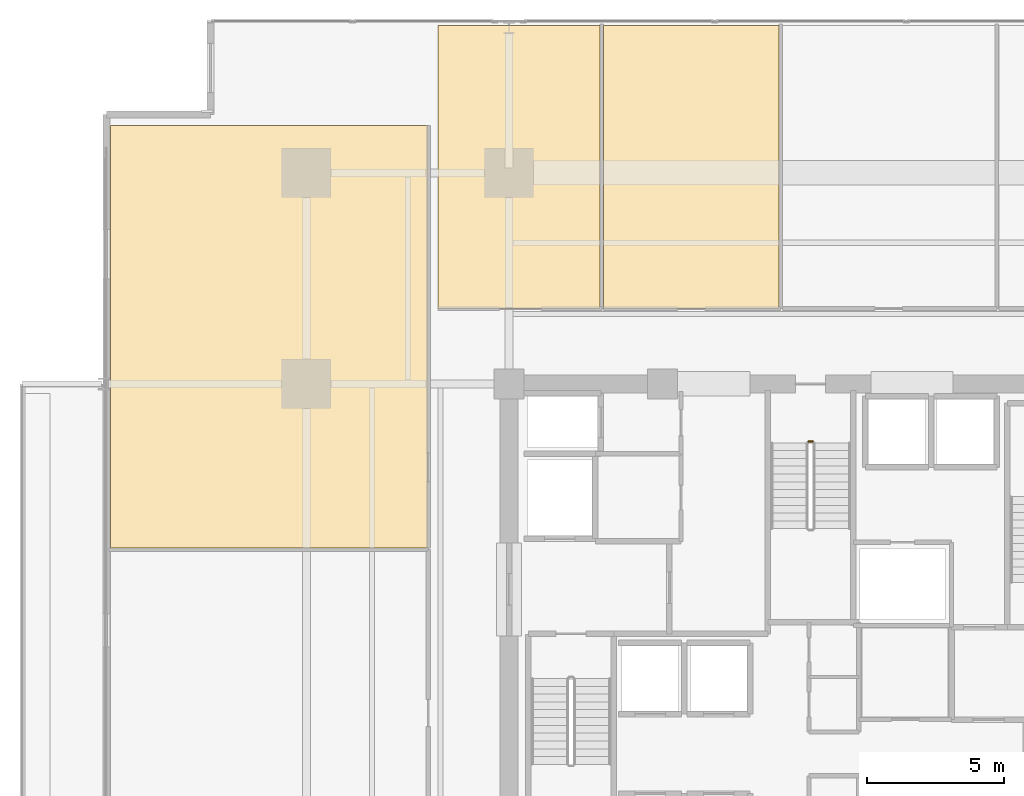
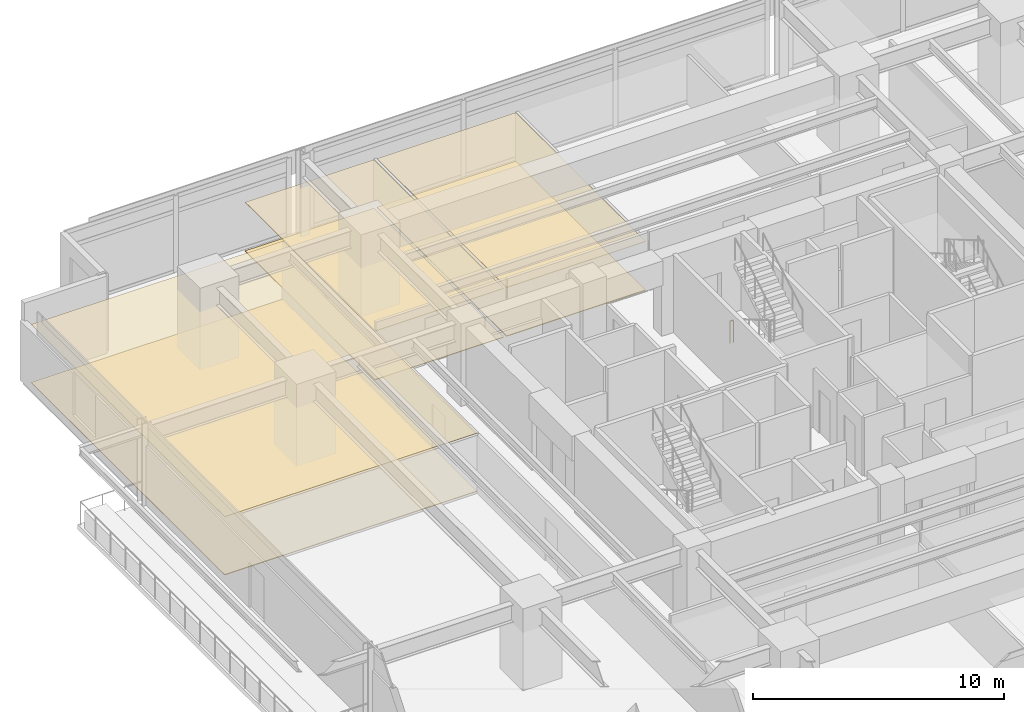
# One storey, part 22 of 23: 6 coverings, 1 railing.
"""IFC4 building model written with IfcOpenShell, lengths in metres."""

from ifc_helpers import new_model, si_unit, direction, frame, origin, origin_2d, place, context, subcontext, project, spatial, polyline, circle, outline, extrude, material, layer, layer_set, type_object, element, save


model = new_model("IFC4")

# Units and contexts
model_context = context("Model", 3, precision=1e-05, world=origin(), true_north=direction((0.0, 1.0)))
body_context = subcontext(model_context, "Body", "Model", "MODEL_VIEW")
ifc_project = project(units=[si_unit("LENGTHUNIT", "METRE"), si_unit("AREAUNIT", "SQUARE_METRE"), si_unit("VOLUMEUNIT", "CUBIC_METRE"), si_unit("PLANEANGLEUNIT", "RADIAN"), si_unit("MASSUNIT", "GRAM", prefix="KILO")], contexts=[model_context])

# Site, building, storey
site_placement = place(None, origin())
site = spatial("IfcSite", under=ifc_project, at=site_placement, CompositionType="ELEMENT")
building_placement = place(site_placement, origin())
building = spatial("IfcBuilding", under=site, at=building_placement, Name="Kovane Verandah Tower", CompositionType="ELEMENT")
storey_placement = place(building_placement, frame((0.0, 0.0, 55.60009765625)))
storey = spatial("IfcBuildingStorey", under=building, at=storey_placement, Name="L12", CompositionType="ELEMENT", Elevation=55.60009765625)

# Coverings
ifc_material_1 = material(Name="Perforated Acoustic Mineral-Fibre Ceiling Tile", Category="gypsum")
ifc_layer_1 = layer(ifc_material_1, 0.02490234375)
ifc_layer_set_1 = layer_set([ifc_layer_1], Name="Perforated Acoustic Mineral-Fibre Ceiling Tile")
covering_type_1 = type_object("IfcCoveringType", Name="CV-CEIL-25", PredefinedType="CEILING", material=ifc_layer_set_1)
covering_1_placement = place(storey_placement, frame((0.0, 0.0, 2.364990234375)))
element("IfcCovering", 1, at=covering_1_placement, inside=storey, type_object=covering_type_1, Name="L12 Client Boardroom N1 Acoustic Ceiling", PredefinedType="CEILING", context=body_context, shape_type="SweptSolid", body=[
    extrude(outline(polyline([(26.39990234375, 39.25), (32.31396484375, 39.25), (32.31396484375, 49.5771484375), (26.39990234375, 49.5771484375), (26.39990234375, 39.25)])), origin(), (0.0, 0.0, 1.0), 0.02490234375),
])
covering_2_placement = place(storey_placement, frame((0.0, 0.0, 2.364990234375)))
element("IfcCovering", 2, at=covering_2_placement, inside=storey, type_object=covering_type_1, Name="L12 Meeting Room N2 Acoustic Ceiling", PredefinedType="CEILING", context=body_context, shape_type="SweptSolid", body=[
    extrude(outline(polyline([(32.4541015625, 39.25), (38.842041015625, 39.25), (38.842041015625, 49.5771484375), (32.4541015625, 49.5771484375), (32.4541015625, 39.25)])), origin(), (0.0, 0.0, 1.0), 0.02490234375),
])
covering_3_placement = place(storey_placement, frame((0.0, 0.0, 2.824951171875)))
element("IfcCovering", 3, at=covering_3_placement, inside=storey, type_object=covering_type_1, Name="L12 Executive Office W2 Acoustic Ceiling", PredefinedType="CEILING", context=body_context, shape_type="SweptSolid", body=[
    extrude(outline(polyline([(14.4541015625, 30.518310546875), (26.050048828125, 30.518310546875), (26.050048828125, 45.92724609375), (14.4541015625, 45.92724609375), (14.4541015625, 30.518310546875)])), origin(), (0.0, 0.0, 1.0), 0.02490234375),
])
ifc_material_2 = material(Name="Polished Terrazzo and Raised-Access Carpet Tile Finish", Category="concrete")
ifc_layer_2 = layer(ifc_material_2, 0.030029296875)
ifc_layer_set_2 = layer_set([ifc_layer_2], Name="Polished Terrazzo and Raised-Access Carpet Tile Finish")
covering_type_2 = type_object("IfcCoveringType", Name="CV-FLOR-30", PredefinedType="FLOORING", material=ifc_layer_set_2)
covering_4_placement = place(storey_placement, origin())
element("IfcCovering", 4, at=covering_4_placement, inside=storey, type_object=covering_type_2, Name="L12 Client Boardroom N1 Floor Finish", PredefinedType="FLOORING", context=body_context, shape_type="SweptSolid", body=[
    extrude(outline(polyline([(26.39990234375, 39.25), (32.31396484375, 39.25), (32.31396484375, 49.5771484375), (26.39990234375, 49.5771484375), (26.39990234375, 39.25)])), origin(), (0.0, 0.0, 1.0), 0.02978515625),
])
covering_5_placement = place(storey_placement, origin())
element("IfcCovering", 5, at=covering_5_placement, inside=storey, type_object=covering_type_2, Name="L12 Meeting Room N2 Floor Finish", PredefinedType="FLOORING", context=body_context, shape_type="SweptSolid", body=[
    extrude(outline(polyline([(32.4541015625, 39.25), (38.842041015625, 39.25), (38.842041015625, 49.5771484375), (32.4541015625, 49.5771484375), (32.4541015625, 39.25)])), origin(), (0.0, 0.0, 1.0), 0.02978515625),
])
covering_6_placement = place(storey_placement, origin())
element("IfcCovering", 6, at=covering_6_placement, inside=storey, type_object=covering_type_2, Name="L12 Executive Office W2 Floor Finish", PredefinedType="FLOORING", context=body_context, shape_type="SweptSolid", body=[
    extrude(outline(polyline([(14.4541015625, 30.518310546875), (26.050048828125, 30.518310546875), (26.050048828125, 45.92724609375), (14.4541015625, 45.92724609375), (14.4541015625, 30.518310546875)])), origin(), (0.0, 0.0, 1.0), 0.02978515625),
])

# Railing
ifc_material_3 = material(Name="Painted Steel Stairwell Guardrail", Category="steel")
railing_type = type_object("IfcRailingType", Name="RL-STGUARD-1120", PredefinedType="GUARDRAIL", material=ifc_material_3)
railing_placement = place(storey_placement, frame((39.919921875, 34.39990234375, 0.0)))
element("IfcRailing", 7, at=railing_placement, inside=storey, type_object=railing_type, Name="L12 ST-03 stair guard 4", PredefinedType="GUARDRAIL", context=body_context, shape_type="SweptSolid", body=[
    extrude(circle(Radius=0.02392578125, at=origin_2d()), frame((0.0, 0.0, 1.076171875), z_axis=(1.0, 0.0, 0.0), x_axis=(0.0, 1.0, 0.0)), (0.0, 0.0, 1.0), 0.16015625),
    extrude(circle(Radius=0.02099609375, at=origin_2d()), origin(), (0.0, 0.0, 1.0), 1.052001953125),
    extrude(circle(Radius=0.02099609375, at=origin_2d()), frame((0.16015625, 0.0, 0.0)), (0.0, 0.0, 1.0), 1.052001953125),
])

save(model, "model.ifc")
